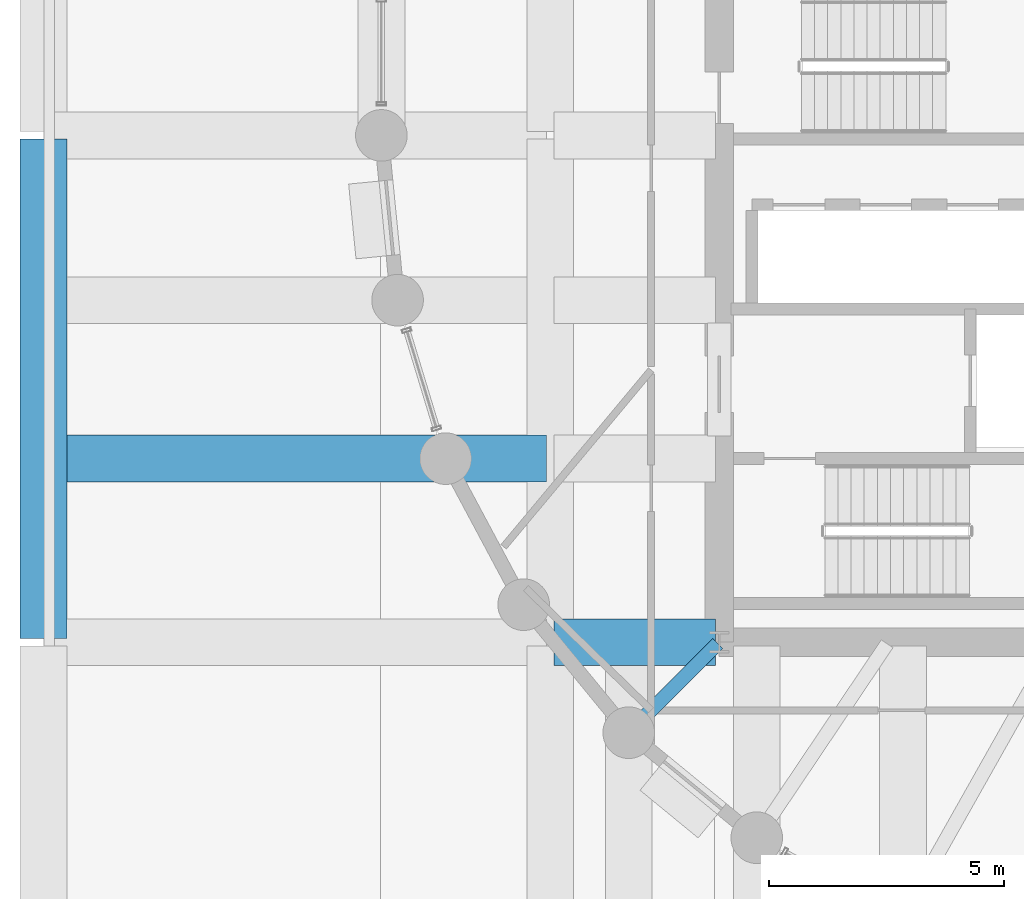
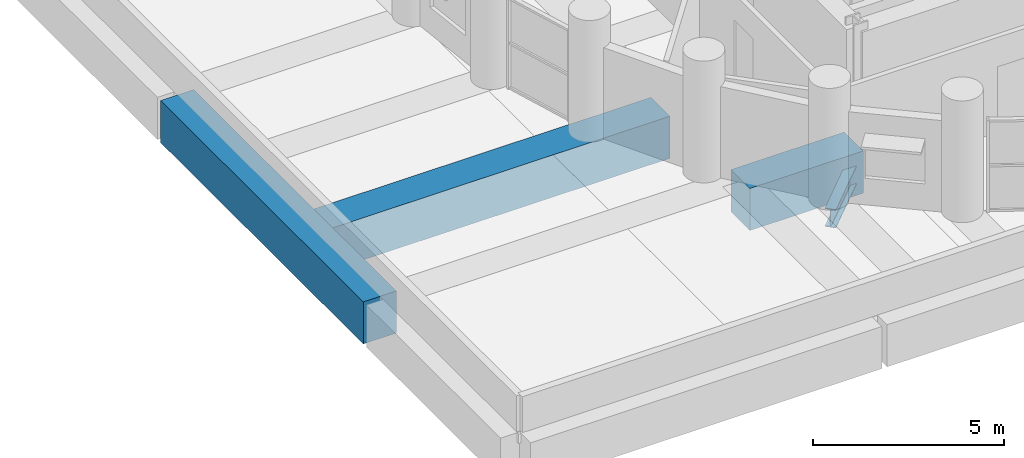
# One storey, part 3 of 39: 4 beams.
"""IFC4 building model written with IfcOpenShell, lengths in metres."""

import ifcopenshell
import ifcopenshell.guid

model = None  # the IFC model being written
_history = None  # IfcOwnerHistory: only IFC2X3 demands one
_inside = {}  # id of a spatial element -> (the spatial element, [elements in it])
_under = {}  # id of a project, library or spatial element -> (it, [spatial elements below it])
_declared = {}  # id of a project -> (the project, [libraries it declares])
_typed = {}  # id of a type object -> (the type object, [elements of that type])
_made_of = {}  # id of a material, layer set ... -> (it, [elements and type objects made of it])


def new_model(schema):
    """Start an empty IFC model of exactly this schema.

    Asked for "IFC4X3", IfcOpenShell would pick the latest addendum, in which some entities
    have other attributes; the version numbers below select the first issue.
    IFC2X3 requires an IfcOwnerHistory on every rooted entity: one is made here for all.
    """
    global model, _history
    if schema == "IFC4X3":
        model = ifcopenshell.file(schema_version=(4, 3, 0, 0))
    else:
        model = ifcopenshell.file(schema=schema)
    _inside.clear()
    _under.clear()
    _declared.clear()
    _typed.clear()
    _made_of.clear()
    _history = None
    if model.schema == "IFC2X3":
        org = make("IfcOrganization", Name="unknown")
        user = make(
            "IfcPersonAndOrganization",
            ThePerson=make("IfcPerson", FamilyName="unknown"),
            TheOrganization=org,
        )
        app = make(
            "IfcApplication",
            ApplicationDeveloper=org,
            Version="unknown",
            ApplicationFullName="unknown",
            ApplicationIdentifier="unknown",
        )
        _history = make(
            "IfcOwnerHistory",
            OwningUser=user,
            OwningApplication=app,
            ChangeAction="ADDED",
            CreationDate=0,
        )
    return model


def make(cls, **values):
    """One entity of the class cls with the attributes given. An attribute that is None is left unset."""
    return model.create_entity(
        cls, **{name: value for name, value in values.items() if value is not None}
    )


def rooted(cls, **values):
    """An entity with a GlobalId (a new one), such as an element, a storey or a relation."""
    return make(cls, GlobalId=ifcopenshell.guid.new(), OwnerHistory=_history, **values)


def si_unit(unit_type, name, prefix=None):
    """IfcSIUnit, for example si_unit("LENGTHUNIT", "METRE", prefix="MILLI")."""
    return make("IfcSIUnit", UnitType=unit_type, Prefix=prefix, Name=name)


def assignment(units):
    """IfcUnitAssignment: the units of a project."""
    return None if units is None else make("IfcUnitAssignment", Units=units)


def point(xyz):
    """IfcCartesianPoint."""
    return None if xyz is None else make("IfcCartesianPoint", Coordinates=xyz)


def direction(xyz):
    """IfcDirection."""
    return None if xyz is None else make("IfcDirection", DirectionRatios=xyz)


def frame(location, z_axis=None, x_axis=None):
    """IfcAxis2Placement3D, a coordinate frame: its origin and axes. An axis left out is left unset."""
    return make(
        "IfcAxis2Placement3D",
        Location=point(location),
        Axis=direction(z_axis),
        RefDirection=direction(x_axis),
    )


def frame_2d(location, x_axis=None):
    """IfcAxis2Placement2D, a coordinate frame in the plane: its origin and x axis."""
    return make(
        "IfcAxis2Placement2D", Location=point(location), RefDirection=direction(x_axis)
    )


def origin():
    """The frame at (0, 0, 0) with its axes left unset."""
    return frame((0.0, 0.0, 0.0))


def origin_2d():
    """The frame at (0, 0) in the plane with its x axis left unset."""
    return frame_2d((0.0, 0.0))


def place(relative_to, where):
    """IfcLocalPlacement: puts the frame where relative to a parent placement (None: the world)."""
    return make(
        "IfcLocalPlacement", PlacementRelTo=relative_to, RelativePlacement=where
    )


def context(
    kind, dimensions, precision=None, world=None, true_north=None, identifier=None
):
    """IfcGeometricRepresentationContext, for example the 3D "Model" context."""
    return make(
        "IfcGeometricRepresentationContext",
        ContextIdentifier=identifier,
        ContextType=kind,
        CoordinateSpaceDimension=dimensions,
        Precision=precision,
        WorldCoordinateSystem=world,
        TrueNorth=true_north,
    )


def subcontext(parent, identifier, kind, view, scale=None):
    """IfcGeometricRepresentationSubContext, for example "Body" below "Model"."""
    return make(
        "IfcGeometricRepresentationSubContext",
        ContextIdentifier=identifier,
        ContextType=kind,
        ParentContext=parent,
        TargetScale=scale,
        TargetView=view,
    )


def project(units=None, contexts=None):
    """IfcProject with its units and contexts."""
    return rooted(
        "IfcProject",
        Name="project",
        RepresentationContexts=contexts,
        UnitsInContext=assignment(units),
    )


def spatial(cls, under=None, at=None, **own):
    """A site, building, storey or space (cls), placed at a placement, below another one or the project."""
    s = rooted(cls, ObjectPlacement=at, **own)
    if under is not None:
        _under.setdefault(under.id(), (under, []))[1].append(s)
    return s


def profile(cls, at=None, kind="AREA", **sizes):
    """A parametric profile (cls). Its sizes go by their IFC names, for example OverallWidth=200.0."""
    return make(cls, ProfileType=kind, Position=at, **sizes)


def rectangle(**sizes):
    """IfcRectangleProfileDef."""
    return profile("IfcRectangleProfileDef", **sizes)


def i_section(**sizes):
    """IfcIShapeProfileDef."""
    return profile("IfcIShapeProfileDef", **sizes)


def extrude(swept, where, along, depth):
    """IfcExtrudedAreaSolid: the profile swept, set in the frame where, extruded along a direction by depth."""
    return make(
        "IfcExtrudedAreaSolid",
        SweptArea=swept,
        Position=where,
        ExtrudedDirection=direction(along),
        Depth=depth,
    )


def shape(context_of_items, identifier, shape_type, items):
    """IfcShapeRepresentation: the items that make up one representation, for example the "Body"."""
    return make(
        "IfcShapeRepresentation",
        ContextOfItems=context_of_items,
        RepresentationIdentifier=identifier,
        RepresentationType=shape_type,
        Items=items,
    )


def material(Name=None, Category=None):
    """IfcMaterial."""
    return make("IfcMaterial", Name=Name, Category=Category)


def material_profile(
    of_material, cross_section, Name=None, Category=None, Priority=None
):
    """IfcMaterialProfile: a cross section and its material."""
    return make(
        "IfcMaterialProfile",
        Name=Name,
        Material=of_material,
        Profile=cross_section,
        Priority=Priority,
        Category=Category,
    )


def profile_set(profiles, Name=None, composite=None):
    """IfcMaterialProfileSet."""
    return make(
        "IfcMaterialProfileSet",
        Name=Name,
        MaterialProfiles=profiles,
        CompositeProfile=composite,
    )


def made_of(thing, what):
    """Note that an element or type object is made of a material, layer set ...; save() writes the relation."""
    if what is not None:
        _made_of.setdefault(what.id(), (what, []))[1].append(thing)
    return thing


def type_object(cls, material=None, **own):
    """A type object (cls), such as IfcWallType, which elements share."""
    return made_of(rooted(cls, **own), material)


def element(
    cls,
    number,
    at=None,
    inside=None,
    cuts=None,
    type_object=None,
    material=None,
    context=None,
    identifier="Body",
    shape_type=None,
    held_by="IfcProductDefinitionShape",
    body=None,
    shapes=None,
    **own,
):
    """One element of the class cls, such as IfcWall. Its Tag is "e" and its number.

    at: its placement. inside: the storey or other place that contains it. cuts: it is an
    opening in that element (IfcRelVoidsElement). A single representation is given by context,
    identifier, shape_type and body (its items); several are given by shapes. held_by: the class
    of the entity that holds the representations. save() writes the other relations.
    """
    e = rooted(cls, Tag="e%d" % number, ObjectPlacement=at, **own)
    if body is not None:
        shapes = [shape(context, identifier, shape_type, body)]
    if shapes is not None:
        e.Representation = make(held_by, Representations=shapes)
    if inside is not None:
        _inside.setdefault(inside.id(), (inside, []))[1].append(e)
    if cuts is not None:
        rooted(
            "IfcRelVoidsElement", RelatingBuildingElement=cuts, RelatedOpeningElement=e
        )
    if type_object is not None:
        _typed.setdefault(type_object.id(), (type_object, []))[1].append(e)
    return made_of(e, material)


def aggregate(whole, parts):
    """IfcRelAggregates: a whole, such as a stair, and the parts it consists of."""
    return rooted("IfcRelAggregates", RelatingObject=whole, RelatedObjects=parts)


def save(model, path):
    """Write the relations noted so far, then the file.

    IfcRelAggregates (storeys below a building ...), IfcRelContainedInSpatialStructure (elements
    in a storey), IfcRelDefinesByType, IfcRelAssociatesMaterial and IfcRelDeclares: one each for
    every whole, place, type object, material and project.
    """
    for whole, parts in _under.values():
        aggregate(whole, parts)
    for where, things in _inside.values():
        rooted(
            "IfcRelContainedInSpatialStructure",
            RelatedElements=things,
            RelatingStructure=where,
        )
    for kind, things in _typed.values():
        rooted("IfcRelDefinesByType", RelatedObjects=things, RelatingType=kind)
    for what, things in _made_of.values():
        rooted("IfcRelAssociatesMaterial", RelatedObjects=things, RelatingMaterial=what)
    for by, libraries in _declared.values():
        rooted("IfcRelDeclares", RelatingContext=by, RelatedDefinitions=libraries)
    model.write(path)


model = new_model("IFC4")

# Units and contexts
model_context = context("Model", 3, precision=1e-05, world=origin(), true_north=direction((0.0, 1.0)))
body_context = subcontext(model_context, "Body", "Model", "MODEL_VIEW")
ifc_project = project(units=[si_unit("LENGTHUNIT", "METRE"), si_unit("AREAUNIT", "SQUARE_METRE"), si_unit("VOLUMEUNIT", "CUBIC_METRE"), si_unit("PLANEANGLEUNIT", "RADIAN"), si_unit("MASSUNIT", "GRAM", prefix="KILO")], contexts=[model_context])

# Site, building, storey
site_placement = place(None, origin())
site = spatial("IfcSite", under=ifc_project, at=site_placement, CompositionType="ELEMENT")
building_placement = place(site_placement, origin())
building = spatial("IfcBuilding", under=site, at=building_placement, Name="Solnavia Interchange Tower", CompositionType="ELEMENT")
storey_placement = place(building_placement, frame((0.0, 0.0, 24.0)))
storey = spatial("IfcBuildingStorey", under=building, at=storey_placement, Name="L05", CompositionType="ELEMENT", Elevation=24.0)

# Beams
ifc_material_1 = material(Name="Steel S355", Category="steel")
ifc_material_profile_1 = material_profile(ifc_material_1, i_section(OverallWidth=0.300048828125, OverallDepth=0.590087890625, WebThickness=0.012939453125, FlangeThickness=0.02490234375, FilletRadius=0.027099609375, at=origin_2d()), Name="HEA 600")
ifc_profile_set_1 = profile_set([ifc_material_profile_1], Name="Steel S355")
beam_type_1 = type_object("IfcBeamType", Name="Beam-Primary-HEA600", PredefinedType="BEAM", material=ifc_profile_set_1)
beam_1_placement = place(storey_placement, frame((12.528564453125, 8.9287109375, -0.695068359375), z_axis=(0.707106781187, 0.707106781187, 0.0), x_axis=(-0.707106781187, 0.707106781187, 0.0)))
element("IfcBeam", 1, at=beam_1_placement, inside=storey, type_object=beam_type_1, Name="GRD-L05-DR08 Drum radial floor girder", PredefinedType="BEAM", context=body_context, shape_type="SweptSolid", body=[
    extrude(i_section(OverallWidth=0.300048828125, OverallDepth=0.590087890625, WebThickness=0.012939453125, FlangeThickness=0.02490234375, FilletRadius=0.027099609375, at=origin_2d()), origin(), (0.0, 0.0, 1.0), 2.6064453125),
])
ifc_material_2 = material(Name="Concrete C60/75", Category="concrete")
ifc_material_profile_2 = material_profile(ifc_material_2, rectangle(XDim=1.0, YDim=1.35009765625, at=origin_2d()), Name="RC 1000x1350")
ifc_profile_set_2 = profile_set([ifc_material_profile_2], Name="Concrete C60/75")
beam_type_2 = type_object("IfcBeamType", Name="Beam-Transfer-RC1000x1350", PredefinedType="BEAM", material=ifc_profile_set_2)
beam_2_placement = place(storey_placement, frame((10.8798828125, 10.800048828125, -0.675048828125), z_axis=(1.0, 0.0, 0.0), x_axis=(0.0, 1.0, 0.0)))
element("IfcBeam", 2, at=beam_2_placement, inside=storey, type_object=beam_type_2, Name="TRB-L05-08 West-south primary transfer girder", PredefinedType="BEAM", context=body_context, shape_type="SweptSolid", body=[
    extrude(rectangle(XDim=1.0, YDim=1.35009765625, at=origin_2d()), origin(), (0.0, 0.0, 1.0), 3.440185546875),
])
beam_3_placement = place(storey_placement, frame((0.0, 10.8798828125, -0.675048828125), z_axis=(0.0, 1.0, 0.0), x_axis=(-1.0, 0.0, 0.0)))
element("IfcBeam", 3, at=beam_3_placement, inside=storey, type_object=beam_type_2, Name="TRB-L05-31 West N-S primary transfer girder", PredefinedType="BEAM", context=body_context, shape_type="SweptSolid", body=[
    extrude(rectangle(XDim=1.0, YDim=1.35009765625, at=origin_2d()), origin(), (0.0, 0.0, 1.0), 10.64013671875),
])
beam_4_placement = place(storey_placement, frame((0.080078125, 14.7119140625, -0.675048828125), z_axis=(1.0, 0.0, 0.0), x_axis=(0.0, 1.0, 0.0)))
element("IfcBeam", 4, at=beam_4_placement, inside=storey, type_object=beam_type_2, Name="TRB-L05-76 Drum west transfer girder", PredefinedType="BEAM", context=body_context, shape_type="SweptSolid", body=[
    extrude(rectangle(XDim=1.0, YDim=1.35009765625, at=origin_2d()), origin(), (0.0, 0.0, 1.0), 10.639892578125),
])

save(model, "model.ifc")
